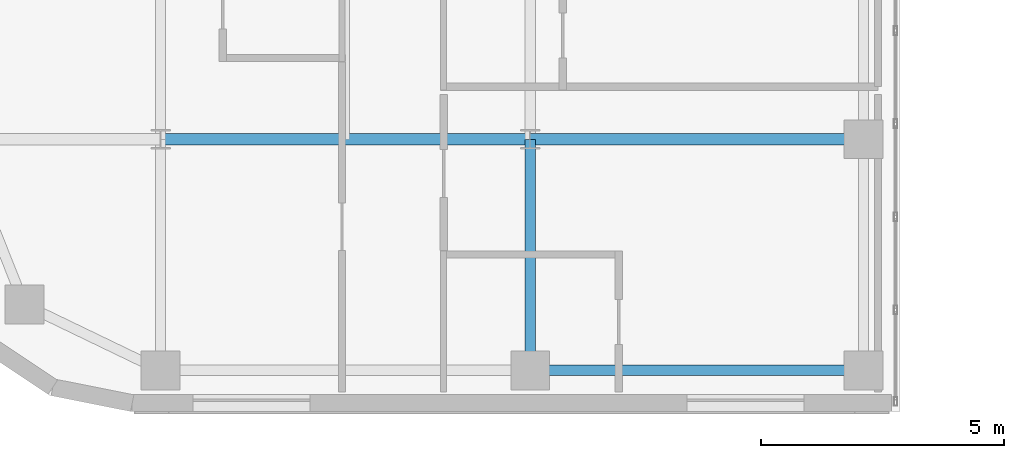
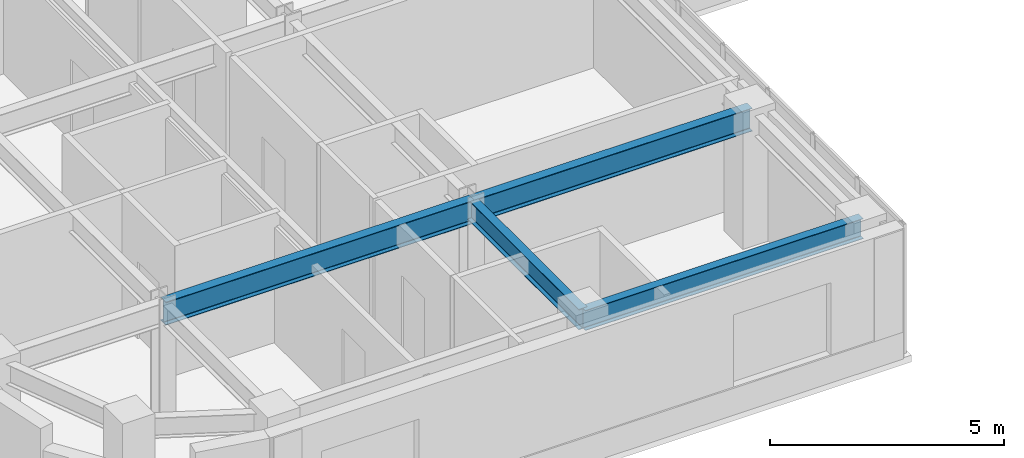
# One storey, part 4 of 28: 4 beams.
"""IFC4 building model written with IfcOpenShell, lengths in metres."""

from ifc_helpers import new_model, si_unit, direction, frame, origin, origin_2d, place, context, subcontext, project, spatial, i_section, extrude, source, transform, mapped, material, material_profile, profile_set, type_object, type_shapes, element, save


model = new_model("IFC4")

# Units and contexts
model_context = context("Model", 3, precision=1e-05, world=origin(), true_north=direction((0.0, 1.0)))
body_context = subcontext(model_context, "Body", "Model", "MODEL_VIEW")
ifc_project = project(units=[si_unit("LENGTHUNIT", "METRE"), si_unit("AREAUNIT", "SQUARE_METRE"), si_unit("VOLUMEUNIT", "CUBIC_METRE"), si_unit("PLANEANGLEUNIT", "RADIAN"), si_unit("MASSUNIT", "GRAM", prefix="KILO")], contexts=[model_context])

# Site, building, storey
site_placement = place(None, origin())
site = spatial("IfcSite", under=ifc_project, at=site_placement, CompositionType="ELEMENT")
building_placement = place(site_placement, origin())
building = spatial("IfcBuilding", under=site, at=building_placement, Name="Tolvann Quenvar Hotel", CompositionType="ELEMENT")
storey_placement = place(building_placement, frame((0.0, 0.0, 198.199951171875)))
storey = spatial("IfcBuildingStorey", under=building, at=storey_placement, Name="L52", CompositionType="ELEMENT", Elevation=198.199951171875)

# Beams
ifc_material = material(Name="Steel Grade 350", Category="steel")
ifc_material_profile_1 = material_profile(ifc_material, i_section(OverallWidth=0.208984375, OverallDepth=0.528076171875, WebThickness=0.009521484375, FlangeThickness=0.01318359375, FilletRadius=0.013916015625, at=origin_2d()), Name="530UB82")
ifc_profile_set_1 = profile_set([ifc_material_profile_1], Name="Steel Grade 350")
beam_type_1 = type_object("IfcBeamType", Name="BM_SPAND_530UB82", PredefinedType="SPANDREL", material=ifc_profile_set_1)
shared_shape_1 = source(origin(), body_context, "Body", "SweptSolid", [
    extrude(i_section(OverallWidth=0.208984375, OverallDepth=0.528076171875, WebThickness=0.009521484375, FlangeThickness=0.01318359375, FilletRadius=0.013916015625, at=origin_2d()), origin(), (0.0, 0.0, 1.0), 6.85009765625),
])
type_shapes(beam_type_1, [shared_shape_1])
beam_1_placement = place(storey_placement, frame((15.199951171875, 3.449951171875, 3.10595703125), z_axis=(1.0, 0.0, 0.0), x_axis=(0.0, 1.0, 0.0)))
element("IfcBeam", 1, at=beam_1_placement, inside=storey, type_object=beam_type_1, Name="BM-L52-EW-2-D2-E2", PredefinedType="SPANDREL", context=body_context, shape_type="MappedRepresentation", body=[
    mapped(shared_shape_1, transform((0.0, 0.0, 0.0), x_axis=(1.0, 0.0, 0.0), y_axis=(0.0, 1.0, 0.0), z_axis=(0.0, 0.0, 1.0), scale=1.0)),
])
ifc_material_profile_2 = material_profile(ifc_material, i_section(OverallWidth=0.22802734375, OverallDepth=0.60205078125, WebThickness=0.010498046875, FlangeThickness=0.014892578125, FilletRadius=0.013916015625, at=origin_2d()), Name="610UB101")
ifc_profile_set_2 = profile_set([ifc_material_profile_2], Name="Steel Grade 350")
beam_type_2 = type_object("IfcBeamType", Name="BM_GIRD_610UB101", PredefinedType="BEAM", material=ifc_profile_set_2)
shared_shape_2 = source(origin(), body_context, "Body", "SweptSolid", [
    extrude(i_section(OverallWidth=0.22802734375, OverallDepth=0.60205078125, WebThickness=0.010498046875, FlangeThickness=0.014892578125, FilletRadius=0.013916015625, at=origin_2d()), origin(), (0.0, 0.0, 1.0), 7.599853515625),
])
beam_2_placement = place(storey_placement, frame((7.60009765625, 8.199951171875, 3.069091796875), z_axis=(1.0, 0.0, 0.0), x_axis=(0.0, 1.0, 0.0)))
element("IfcBeam", 2, at=beam_2_placement, inside=storey, type_object=beam_type_2, Name="BM-L52-EW-3-C3-D3", PredefinedType="BEAM", context=body_context, shape_type="MappedRepresentation", body=[
    mapped(shared_shape_2, transform((0.0, 0.0, 0.0), x_axis=(1.0, 0.0, 0.0), y_axis=(0.0, 1.0, 0.0), z_axis=(0.0, 0.0, 1.0), scale=1.0)),
])
shared_shape_3 = source(origin(), body_context, "Body", "SweptSolid", [
    extrude(i_section(OverallWidth=0.22802734375, OverallDepth=0.60205078125, WebThickness=0.010498046875, FlangeThickness=0.014892578125, FilletRadius=0.013916015625, at=origin_2d()), origin(), (0.0, 0.0, 1.0), 6.85009765625),
])
type_shapes(beam_type_2, [shared_shape_2, shared_shape_3])
beam_3_placement = place(storey_placement, frame((15.199951171875, 8.199951171875, 3.069091796875), z_axis=(1.0, 0.0, 0.0), x_axis=(0.0, 1.0, 0.0)))
element("IfcBeam", 3, at=beam_3_placement, inside=storey, type_object=beam_type_2, Name="BM-L52-EW-3-D3-E3", PredefinedType="BEAM", context=body_context, shape_type="MappedRepresentation", body=[
    mapped(shared_shape_3, transform((0.0, 0.0, 0.0), x_axis=(1.0, 0.0, 0.0), y_axis=(0.0, 1.0, 0.0), z_axis=(0.0, 0.0, 1.0), scale=1.0)),
])
ifc_material_profile_3 = material_profile(ifc_material, i_section(OverallWidth=0.208984375, OverallDepth=0.532958984375, WebThickness=0.01025390625, FlangeThickness=0.015625, FilletRadius=0.013916015625, at=origin_2d()), Name="530UB92")
ifc_profile_set_3 = profile_set([ifc_material_profile_3], Name="Steel Grade 350")
beam_type_3 = type_object("IfcBeamType", Name="BM_GIRD_530UB92", PredefinedType="BEAM", material=ifc_profile_set_3)
shared_shape_4 = source(origin(), body_context, "Body", "SweptSolid", [
    extrude(i_section(OverallWidth=0.208984375, OverallDepth=0.532958984375, WebThickness=0.01025390625, FlangeThickness=0.015625, FilletRadius=0.013916015625, at=origin_2d()), origin(), (0.0, 0.0, 1.0), 4.75),
])
type_shapes(beam_type_3, [shared_shape_4])
beam_4_placement = place(storey_placement, frame((15.199951171875, 3.449951171875, 3.103515625), z_axis=(0.0, 1.0, 0.0), x_axis=(-1.0, 0.0, 0.0)))
element("IfcBeam", 4, at=beam_4_placement, inside=storey, type_object=beam_type_3, Name="BM-L52-NS-D2-D3", PredefinedType="BEAM", context=body_context, shape_type="MappedRepresentation", body=[
    mapped(shared_shape_4, transform((0.0, 0.0, 0.0), x_axis=(1.0, 0.0, 0.0), y_axis=(0.0, 1.0, 0.0), z_axis=(0.0, 0.0, 1.0), scale=1.0)),
])

save(model, "model.ifc")
